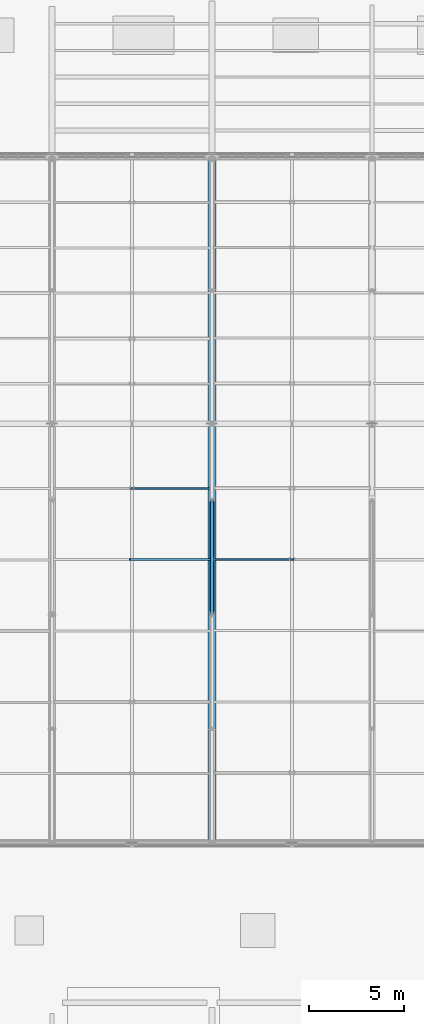
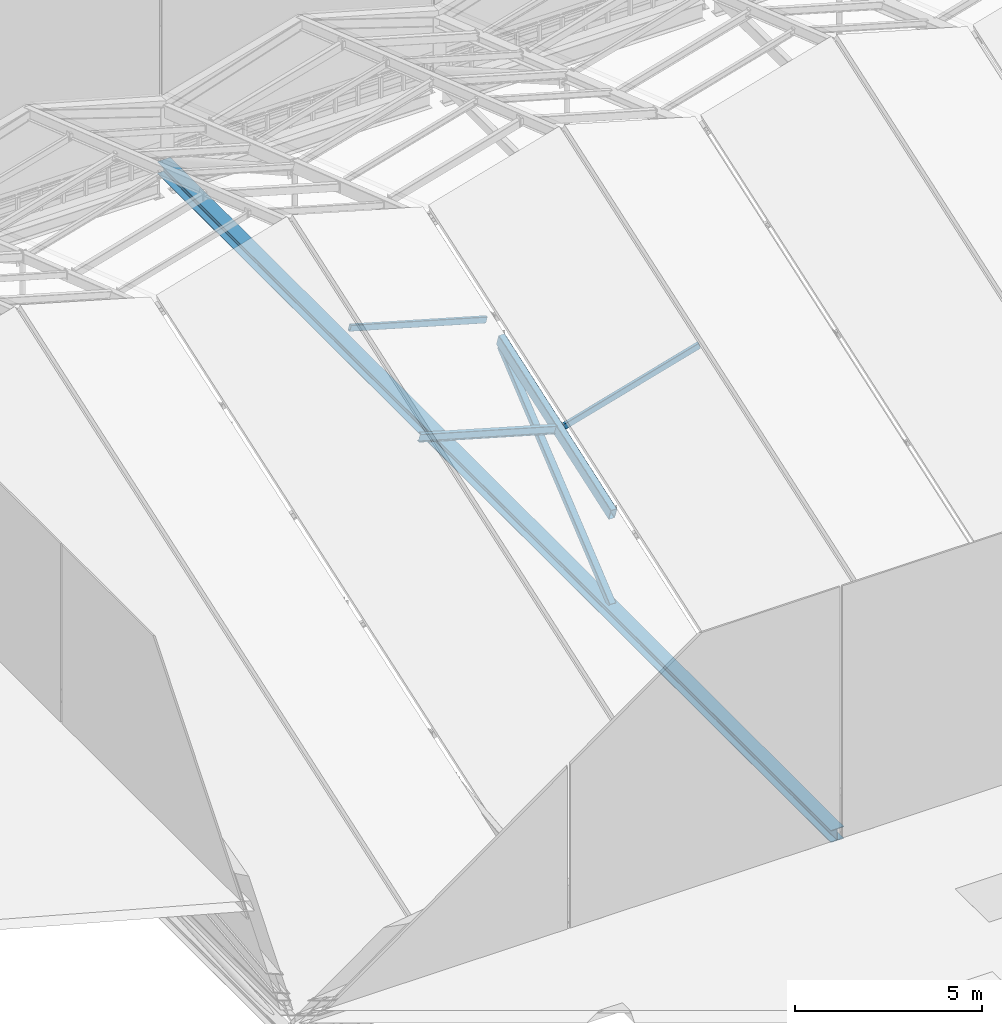
# One storey, part 14 of 77: 6 members.
"""IFC4 building model written with IfcOpenShell, lengths in metres."""

from ifc_helpers import new_model, si_unit, direction, frame, origin, origin_2d, place, context, subcontext, project, spatial, hollow_rectangle, i_section, extrude, material, material_profile, profile_set, type_object, element, save


model = new_model("IFC4")

# Units and contexts
model_context = context("Model", 3, precision=1e-05, world=origin(), true_north=direction((0.0, 1.0)))
body_context = subcontext(model_context, "Body", "Model", "MODEL_VIEW")
ifc_project = project(units=[si_unit("LENGTHUNIT", "METRE"), si_unit("AREAUNIT", "SQUARE_METRE"), si_unit("VOLUMEUNIT", "CUBIC_METRE"), si_unit("PLANEANGLEUNIT", "RADIAN"), si_unit("MASSUNIT", "GRAM", prefix="KILO")], contexts=[model_context])

# Site, building, storey
site_placement = place(None, origin())
site = spatial("IfcSite", under=ifc_project, at=site_placement, CompositionType="ELEMENT")
building_placement = place(site_placement, origin())
building = spatial("IfcBuilding", under=site, at=building_placement, Name="Larkvane Passage Sports Hall", CompositionType="ELEMENT")
storey_placement = place(building_placement, frame((0.0, 0.0, 22.199951171875)))
storey = spatial("IfcBuildingStorey", under=building, at=storey_placement, Name="RF", CompositionType="ELEMENT", Elevation=22.199951171875)

# Members
ifc_material_1 = material(Name="Steel S355JR", Category="steel")
ifc_material_profile_1 = material_profile(ifc_material_1, hollow_rectangle(XDim=0.199951171875, YDim=0.199951171875, WallThickness=0.009033203125, InnerFilletRadius=0.009033203125, OuterFilletRadius=0.01806640625, at=origin_2d()), Name="SHS-200x200x9")
ifc_profile_set_1 = profile_set([ifc_material_profile_1], Name="Steel S355JR")
member_type_1 = type_object("IfcMemberType", Name="MBR-BR-SHS200", PredefinedType="BRACE", material=ifc_profile_set_1)
member_1_placement = place(storey_placement, frame((51.60009765625, 51.64990234375, 0.239990234375), z_axis=(0.0, 0.771338416742, 0.636425209163), x_axis=(-1.0, 0.0, 0.0)))
element("IfcMember", 1, at=member_1_placement, inside=storey, type_object=member_type_1, Name="Arena roof truss 3 web brace 3", PredefinedType="BRACE", context=body_context, shape_type="SweptSolid", body=[
    extrude(hollow_rectangle(XDim=0.199951171875, YDim=0.199951171875, WallThickness=0.009033203125, InnerFilletRadius=0.009033203125, OuterFilletRadius=0.01806640625, at=origin_2d()), origin(), (0.0, 0.0, 1.0), 7.649169921875),
])
ifc_material_2 = material(Name="Steel S460N", Category="steel")
ifc_material_profile_2 = material_profile(ifc_material_2, i_section(OverallWidth=0.39990234375, OverallDepth=0.39990234375, WebThickness=0.012939453125, FlangeThickness=0.02099609375, FilletRadius=0.02197265625, at=origin_2d()), Name="H-400x400x13x21")
ifc_profile_set_2 = profile_set([ifc_material_profile_2], Name="Steel S460N")
member_type_2 = type_object("IfcMemberType", Name="MBR-CH-H400", PredefinedType="CHORD", material=ifc_profile_set_2)
member_2_placement = place(storey_placement, frame((51.60009765625, 39.60009765625, 0.050048828125), z_axis=(0.0, 1.0, 0.0), x_axis=(-1.0, 0.0, 0.0)))
element("IfcMember", 2, at=member_2_placement, inside=storey, type_object=member_type_2, Name="Arena roof truss 3 bottom chord", PredefinedType="CHORD", context=body_context, shape_type="SweptSolid", body=[
    extrude(i_section(OverallWidth=0.39990234375, OverallDepth=0.39990234375, WebThickness=0.012939453125, FlangeThickness=0.02099609375, FilletRadius=0.02197265625, at=origin_2d()), origin(), (0.0, 0.0, 1.0), 36.0),
])
ifc_material_profile_3 = material_profile(ifc_material_2, hollow_rectangle(XDim=0.199951171875, YDim=0.39990234375, WallThickness=0.013916015625, InnerFilletRadius=0.013916015625, OuterFilletRadius=0.028076171875, at=origin_2d()), Name="RHS-400x200x14")
ifc_profile_set_3 = profile_set([ifc_material_profile_3], Name="Steel S460N")
member_type_3 = type_object("IfcMemberType", Name="MBR-CH-RHS400", PredefinedType="CHORD", material=ifc_profile_set_3)
member_3_placement = place(storey_placement, frame((51.60009765625, 51.60009765625, 3.2255859375), z_axis=(0.0, 0.945188910593, 0.326524001096), x_axis=(-1.0, 0.0, 0.0)))
element("IfcMember", 3, at=member_3_placement, inside=storey, type_object=member_type_3, Name="Arena roof truss 3 top chord 3", PredefinedType="CHORD", context=body_context, shape_type="SweptSolid", body=[
    extrude(hollow_rectangle(XDim=0.199951171875, YDim=0.39990234375, WallThickness=0.013916015625, InnerFilletRadius=0.013916015625, OuterFilletRadius=0.028076171875, at=origin_2d()), origin(), (0.0, 0.0, 1.0), 6.347900390625),
])
ifc_material_profile_4 = material_profile(ifc_material_1, i_section(OverallWidth=0.125, OverallDepth=0.25, WebThickness=0.006103515625, FlangeThickness=0.009033203125, FilletRadius=0.008056640625, at=origin_2d()), Name="H-250x125x6x9")
ifc_profile_set_4 = profile_set([ifc_material_profile_4], Name="Steel S355JR")
member_type_4 = type_object("IfcMemberType", Name="MBR-PR-H250", PredefinedType="PURLIN", material=ifc_profile_set_4)
member_4_placement = place(storey_placement, frame((47.287841796875, 54.4755859375, 5.499755859375), z_axis=(0.961511291812, 0.0, -0.274765419436), x_axis=(0.0, 1.0, 0.0)))
element("IfcMember", 4, at=member_4_placement, inside=storey, type_object=member_type_4, Name="Folded roof purlin FRP-B2-SE-4", PredefinedType="PURLIN", context=body_context, shape_type="SweptSolid", body=[
    extrude(i_section(OverallWidth=0.125, OverallDepth=0.25, WebThickness=0.006103515625, FlangeThickness=0.009033203125, FilletRadius=0.008056640625, at=origin_2d()), origin(), (0.0, 0.0, 1.0), 4.3681640625),
])
ifc_material_profile_5 = material_profile(ifc_material_1, hollow_rectangle(XDim=0.10009765625, YDim=0.199951171875, WallThickness=0.008056640625, InnerFilletRadius=0.008056640625, OuterFilletRadius=0.01611328125, at=origin_2d()), Name="RHS-200x100x8")
ifc_profile_set_5 = profile_set([ifc_material_profile_5], Name="Steel S355JR")
member_type_5 = type_object("IfcMemberType", Name="MBR-PR-RHS200", PredefinedType="PURLIN", material=ifc_profile_set_5)
member_5_placement = place(storey_placement, frame((47.29443359375, 58.207763671875, 6.814453125), z_axis=(0.96152605678, 0.0, -0.274713745804), x_axis=(0.0, 1.0, 0.0)))
element("IfcMember", 5, at=member_5_placement, inside=storey, type_object=member_type_5, Name="Folded roof purlin FRP-B2-SE-5", PredefinedType="PURLIN", context=body_context, shape_type="SweptSolid", body=[
    extrude(hollow_rectangle(XDim=0.10009765625, YDim=0.199951171875, WallThickness=0.008056640625, InnerFilletRadius=0.008056640625, OuterFilletRadius=0.01611328125, at=origin_2d()), origin(), (0.0, 0.0, 1.0), 4.367919921875),
])
member_6_placement = place(storey_placement, frame((51.716064453125, 54.480224609375, 4.285888671875), z_axis=(0.961511291812, 0.0, 0.274765419436), x_axis=(0.0, 1.0, 0.0)))
element("IfcMember", 6, at=member_6_placement, inside=storey, type_object=member_type_5, Name="Folded roof purlin FRP-B3-SW-4", PredefinedType="PURLIN", context=body_context, shape_type="SweptSolid", body=[
    extrude(hollow_rectangle(XDim=0.10009765625, YDim=0.199951171875, WallThickness=0.008056640625, InnerFilletRadius=0.008056640625, OuterFilletRadius=0.01611328125, at=origin_2d()), origin(), (0.0, 0.0, 1.0), 4.3681640625),
])

save(model, "model.ifc")
